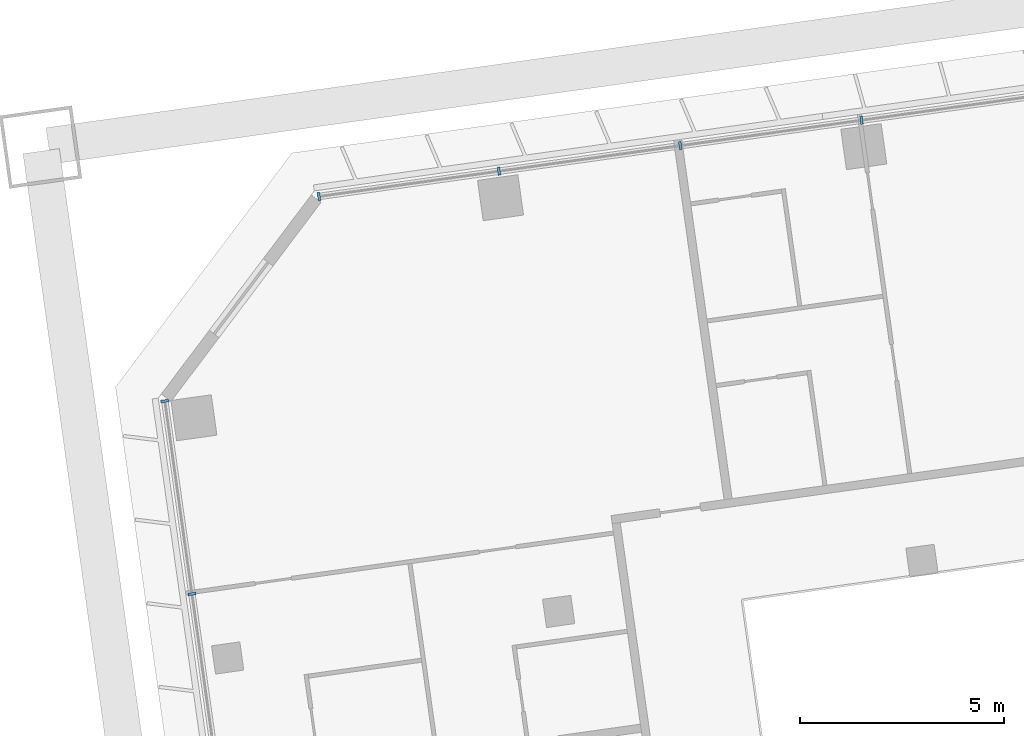
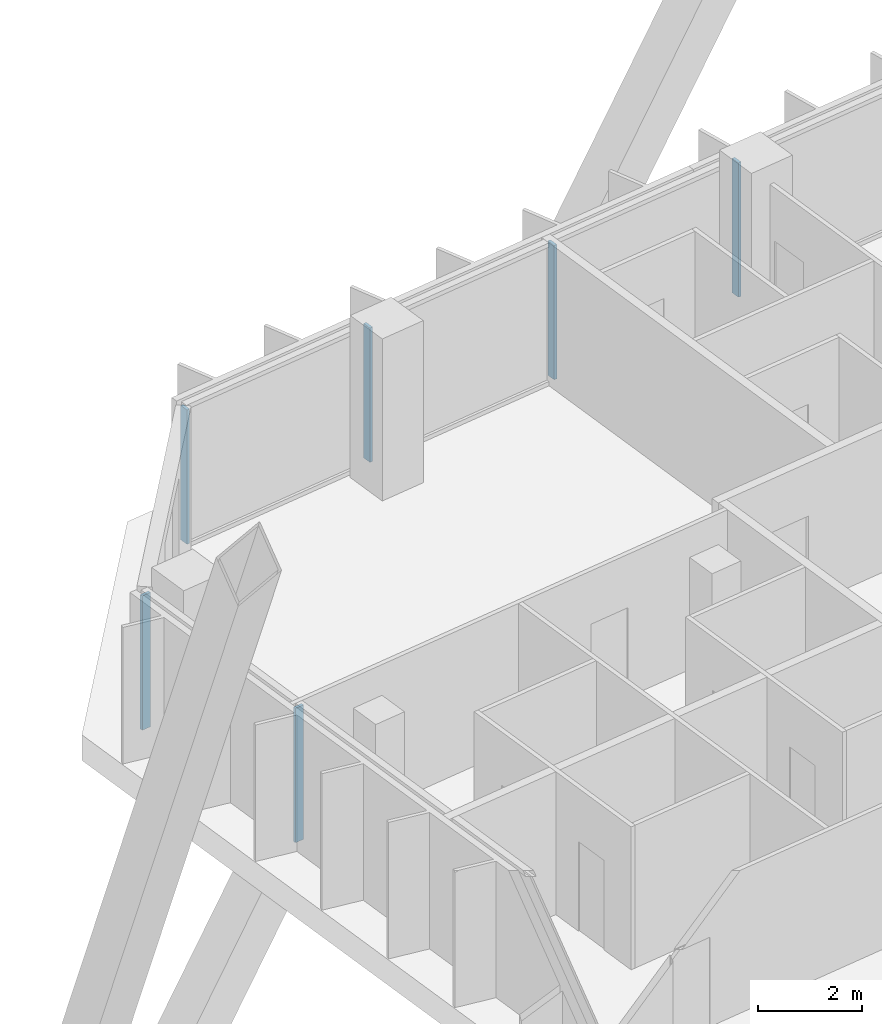
# One storey, part 25 of 49: 6 members, 2 elements without a shape of their own.
"""IFC4 building model written with IfcOpenShell, lengths in metres."""

from ifc_helpers import new_model, si_unit, direction, frame, origin, origin_2d, place, context, subcontext, project, spatial, rectangle, extrude, material, material_profile, profile_set, type_object, element, aggregate, save


model = new_model("IFC4")

# Units and contexts
model_context = context("Model", 3, precision=1e-05, world=origin(), true_north=direction((0.0, 1.0)))
body_context = subcontext(model_context, "Body", "Model", "MODEL_VIEW")
ifc_project = project(units=[si_unit("LENGTHUNIT", "METRE"), si_unit("AREAUNIT", "SQUARE_METRE"), si_unit("VOLUMEUNIT", "CUBIC_METRE"), si_unit("PLANEANGLEUNIT", "RADIAN"), si_unit("MASSUNIT", "GRAM", prefix="KILO")], contexts=[model_context])

# Site, building, storey
site_placement = place(None, origin())
site = spatial("IfcSite", under=ifc_project, at=site_placement, CompositionType="ELEMENT")
building_placement = place(site_placement, origin())
building = spatial("IfcBuilding", under=site, at=building_placement, Name="Mirante Cascada Hotel Towers", CompositionType="ELEMENT")
storey_placement = place(building_placement, frame((0.0, 0.0, 66.1)))
storey = spatial("IfcBuildingStorey", under=building, at=storey_placement, Name="L13", CompositionType="ELEMENT", Elevation=66.1)

# Curtain wall, members
ifc_material_1 = material(Name="Aluminium mullion and transom frame with clear laminated glass", Category="aluminium")
curtain_wall_type_1 = type_object("IfcCurtainWallType", Name="Ribbon curtain wall ECW1", PredefinedType="NOTDEFINED", material=ifc_material_1)
curtain_wall_1_placement = place(storey_placement, origin())
curtain_wall_1 = element("IfcCurtainWall", 1, at=curtain_wall_1_placement, inside=storey, type_object=curtain_wall_type_1, Name="Front ribbon wall T2 L13", PredefinedType="NOTDEFINED")
ifc_material_2 = material(Name="Anodised aluminium extrusion", Category="aluminium")
ifc_material_profile_1 = material_profile(ifc_material_2, rectangle(XDim=0.2, YDim=0.065, at=origin_2d()), Name="ECW1 MULLION 65x200")
ifc_profile_set_1 = profile_set([ifc_material_profile_1], Name="Anodised aluminium extrusion")
member_type_1 = type_object("IfcMemberType", Name="ECW1 mullion 65x200", PredefinedType="MULLION", material=ifc_profile_set_1)
member_1_placement = place(storey_placement, frame((45.2366, 19.1766, 0.1), z_axis=(0.0, 0.0, 1.0), x_axis=(0.1391731, -0.9902681, 0.0)))
member_1 = element("IfcMember", 2, at=member_1_placement, type_object=member_type_1, Name="ECW1 mullion 12", PredefinedType="MULLION", context=body_context, shape_type="SweptSolid", body=[
    extrude(rectangle(XDim=0.2, YDim=0.065, at=origin_2d()), origin(), (0.0, 0.0, 1.0), 3.15),
])
member_2_placement = place(storey_placement, frame((40.7892, 18.5516, 0.1), z_axis=(0.0, 0.0, 1.0), x_axis=(0.1391731, -0.9902681, 0.0)))
member_2 = element("IfcMember", 3, at=member_2_placement, type_object=member_type_1, Name="ECW1 mullion 13", PredefinedType="MULLION", context=body_context, shape_type="SweptSolid", body=[
    extrude(rectangle(XDim=0.2, YDim=0.065, at=origin_2d()), origin(), (0.0, 0.0, 1.0), 3.15),
])
member_3_placement = place(storey_placement, frame((36.3417, 17.9265, 0.1), z_axis=(0.0, 0.0, 1.0), x_axis=(0.1391731, -0.9902681, 0.0)))
member_3 = element("IfcMember", 4, at=member_3_placement, type_object=member_type_1, Name="ECW1 mullion 14", PredefinedType="MULLION", context=body_context, shape_type="SweptSolid", body=[
    extrude(rectangle(XDim=0.2, YDim=0.065, at=origin_2d()), origin(), (0.0, 0.0, 1.0), 3.15),
])
member_4_placement = place(storey_placement, frame((31.9265, 17.306, 0.1), z_axis=(0.0, 0.0, 1.0), x_axis=(0.1391731, -0.9902681, 0.0)))
member_4 = element("IfcMember", 5, at=member_4_placement, type_object=member_type_1, Name="ECW1 mullion 15", PredefinedType="MULLION", context=body_context, shape_type="SweptSolid", body=[
    extrude(rectangle(XDim=0.2, YDim=0.065, at=origin_2d()), origin(), (0.0, 0.0, 1.0), 3.15),
])
aggregate(curtain_wall_1, [member_1, member_2, member_3, member_4])

ifc_material_3 = material(Name="Aluminium mullion and transom frame with clear laminated glass", Category="aluminium")
curtain_wall_type_2 = type_object("IfcCurtainWallType", Name="End ribbon curtain wall ECW2", PredefinedType="NOTDEFINED", material=ifc_material_3)
curtain_wall_2_placement = place(storey_placement, origin())
curtain_wall_2 = element("IfcCurtainWall", 6, at=curtain_wall_2_placement, inside=storey, type_object=curtain_wall_type_2, Name="Inner end wall T2 L13", PredefinedType="NOTDEFINED")
ifc_material_4 = material(Name="Anodised aluminium extrusion", Category="aluminium")
ifc_material_profile_2 = material_profile(ifc_material_4, rectangle(XDim=0.2, YDim=0.065, at=origin_2d()), Name="ECW2 MULLION 65x200")
ifc_profile_set_2 = profile_set([ifc_material_profile_2], Name="Anodised aluminium extrusion")
member_type_2 = type_object("IfcMemberType", Name="ECW2 mullion 65x200", PredefinedType="MULLION", material=ifc_profile_set_2)
member_5_placement = place(storey_placement, frame((28.1437, 12.2861, 0.1), z_axis=(0.0, 0.0, 1.0), x_axis=(0.9902681, 0.1391731, 0.0)))
member_5 = element("IfcMember", 7, at=member_5_placement, type_object=member_type_2, Name="ECW2 mullion 1", PredefinedType="MULLION", context=body_context, shape_type="SweptSolid", body=[
    extrude(rectangle(XDim=0.2, YDim=0.065, at=origin_2d()), origin(), (0.0, 0.0, 1.0), 3.15),
])
member_6_placement = place(storey_placement, frame((28.809, 7.5524, 0.1), z_axis=(0.0, 0.0, 1.0), x_axis=(0.9902681, 0.1391731, 0.0)))
member_6 = element("IfcMember", 8, at=member_6_placement, type_object=member_type_2, Name="ECW2 mullion 2", PredefinedType="MULLION", context=body_context, shape_type="SweptSolid", body=[
    extrude(rectangle(XDim=0.2, YDim=0.065, at=origin_2d()), origin(), (0.0, 0.0, 1.0), 3.15),
])
aggregate(curtain_wall_2, [member_5, member_6])

save(model, "model.ifc")
